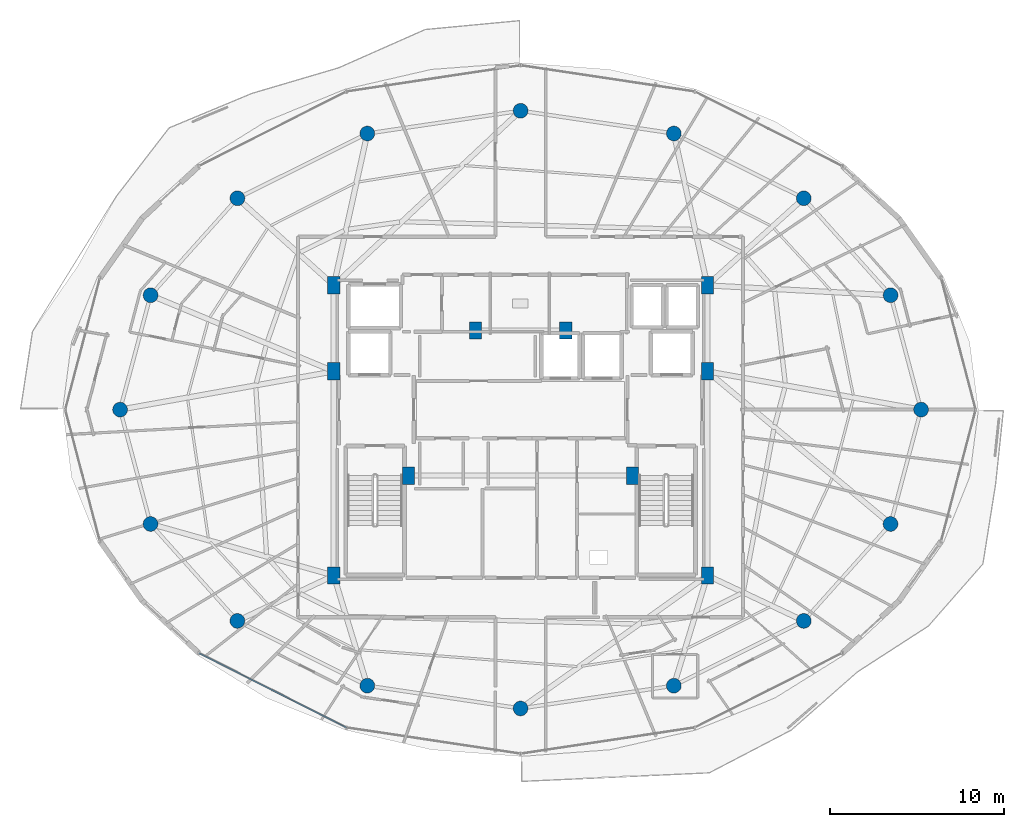
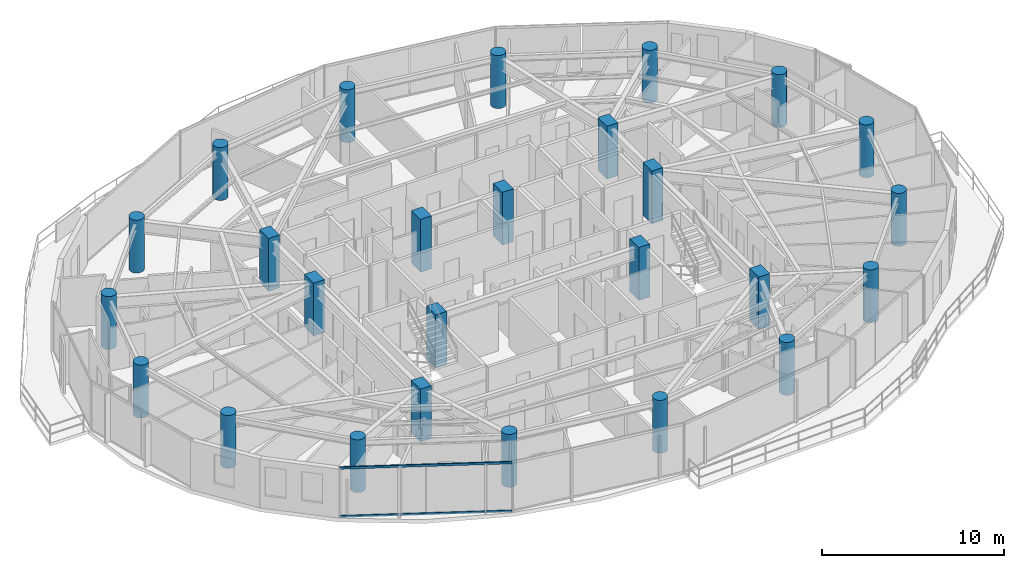
# One storey, part 1 of 29: 26 columns, 2 members, 1 element without a shape of its own.
"""IFC4 building model written with IfcOpenShell, lengths in metres."""

import ifcopenshell
import ifcopenshell.guid

model = None  # the IFC model being written
_history = None  # IfcOwnerHistory: only IFC2X3 demands one
_inside = {}  # id of a spatial element -> (the spatial element, [elements in it])
_under = {}  # id of a project, library or spatial element -> (it, [spatial elements below it])
_declared = {}  # id of a project -> (the project, [libraries it declares])
_typed = {}  # id of a type object -> (the type object, [elements of that type])
_made_of = {}  # id of a material, layer set ... -> (it, [elements and type objects made of it])


def new_model(schema):
    """Start an empty IFC model of exactly this schema.

    Asked for "IFC4X3", IfcOpenShell would pick the latest addendum, in which some entities
    have other attributes; the version numbers below select the first issue.
    IFC2X3 requires an IfcOwnerHistory on every rooted entity: one is made here for all.
    """
    global model, _history
    if schema == "IFC4X3":
        model = ifcopenshell.file(schema_version=(4, 3, 0, 0))
    else:
        model = ifcopenshell.file(schema=schema)
    _inside.clear()
    _under.clear()
    _declared.clear()
    _typed.clear()
    _made_of.clear()
    _history = None
    if model.schema == "IFC2X3":
        org = make("IfcOrganization", Name="unknown")
        user = make(
            "IfcPersonAndOrganization",
            ThePerson=make("IfcPerson", FamilyName="unknown"),
            TheOrganization=org,
        )
        app = make(
            "IfcApplication",
            ApplicationDeveloper=org,
            Version="unknown",
            ApplicationFullName="unknown",
            ApplicationIdentifier="unknown",
        )
        _history = make(
            "IfcOwnerHistory",
            OwningUser=user,
            OwningApplication=app,
            ChangeAction="ADDED",
            CreationDate=0,
        )
    return model


def make(cls, **values):
    """One entity of the class cls with the attributes given. An attribute that is None is left unset."""
    return model.create_entity(
        cls, **{name: value for name, value in values.items() if value is not None}
    )


def rooted(cls, **values):
    """An entity with a GlobalId (a new one), such as an element, a storey or a relation."""
    return make(cls, GlobalId=ifcopenshell.guid.new(), OwnerHistory=_history, **values)


def si_unit(unit_type, name, prefix=None):
    """IfcSIUnit, for example si_unit("LENGTHUNIT", "METRE", prefix="MILLI")."""
    return make("IfcSIUnit", UnitType=unit_type, Prefix=prefix, Name=name)


def assignment(units):
    """IfcUnitAssignment: the units of a project."""
    return None if units is None else make("IfcUnitAssignment", Units=units)


def point(xyz):
    """IfcCartesianPoint."""
    return None if xyz is None else make("IfcCartesianPoint", Coordinates=xyz)


def direction(xyz):
    """IfcDirection."""
    return None if xyz is None else make("IfcDirection", DirectionRatios=xyz)


def frame(location, z_axis=None, x_axis=None):
    """IfcAxis2Placement3D, a coordinate frame: its origin and axes. An axis left out is left unset."""
    return make(
        "IfcAxis2Placement3D",
        Location=point(location),
        Axis=direction(z_axis),
        RefDirection=direction(x_axis),
    )


def frame_2d(location, x_axis=None):
    """IfcAxis2Placement2D, a coordinate frame in the plane: its origin and x axis."""
    return make(
        "IfcAxis2Placement2D", Location=point(location), RefDirection=direction(x_axis)
    )


def origin():
    """The frame at (0, 0, 0) with its axes left unset."""
    return frame((0.0, 0.0, 0.0))


def origin_2d():
    """The frame at (0, 0) in the plane with its x axis left unset."""
    return frame_2d((0.0, 0.0))


def place(relative_to, where):
    """IfcLocalPlacement: puts the frame where relative to a parent placement (None: the world)."""
    return make(
        "IfcLocalPlacement", PlacementRelTo=relative_to, RelativePlacement=where
    )


def context(
    kind, dimensions, precision=None, world=None, true_north=None, identifier=None
):
    """IfcGeometricRepresentationContext, for example the 3D "Model" context."""
    return make(
        "IfcGeometricRepresentationContext",
        ContextIdentifier=identifier,
        ContextType=kind,
        CoordinateSpaceDimension=dimensions,
        Precision=precision,
        WorldCoordinateSystem=world,
        TrueNorth=true_north,
    )


def subcontext(parent, identifier, kind, view, scale=None):
    """IfcGeometricRepresentationSubContext, for example "Body" below "Model"."""
    return make(
        "IfcGeometricRepresentationSubContext",
        ContextIdentifier=identifier,
        ContextType=kind,
        ParentContext=parent,
        TargetScale=scale,
        TargetView=view,
    )


def project(units=None, contexts=None):
    """IfcProject with its units and contexts."""
    return rooted(
        "IfcProject",
        Name="project",
        RepresentationContexts=contexts,
        UnitsInContext=assignment(units),
    )


def spatial(cls, under=None, at=None, **own):
    """A site, building, storey or space (cls), placed at a placement, below another one or the project."""
    s = rooted(cls, ObjectPlacement=at, **own)
    if under is not None:
        _under.setdefault(under.id(), (under, []))[1].append(s)
    return s


def profile(cls, at=None, kind="AREA", **sizes):
    """A parametric profile (cls). Its sizes go by their IFC names, for example OverallWidth=200.0."""
    return make(cls, ProfileType=kind, Position=at, **sizes)


def rectangle(**sizes):
    """IfcRectangleProfileDef."""
    return profile("IfcRectangleProfileDef", **sizes)


def hollow_rectangle(**sizes):
    """IfcRectangleHollowProfileDef."""
    return profile("IfcRectangleHollowProfileDef", **sizes)


def circle(**sizes):
    """IfcCircleProfileDef."""
    return profile("IfcCircleProfileDef", **sizes)


def extrude(swept, where, along, depth):
    """IfcExtrudedAreaSolid: the profile swept, set in the frame where, extruded along a direction by depth."""
    return make(
        "IfcExtrudedAreaSolid",
        SweptArea=swept,
        Position=where,
        ExtrudedDirection=direction(along),
        Depth=depth,
    )


def shape(context_of_items, identifier, shape_type, items):
    """IfcShapeRepresentation: the items that make up one representation, for example the "Body"."""
    return make(
        "IfcShapeRepresentation",
        ContextOfItems=context_of_items,
        RepresentationIdentifier=identifier,
        RepresentationType=shape_type,
        Items=items,
    )


def material(Name=None, Category=None):
    """IfcMaterial."""
    return make("IfcMaterial", Name=Name, Category=Category)


def material_profile(
    of_material, cross_section, Name=None, Category=None, Priority=None
):
    """IfcMaterialProfile: a cross section and its material."""
    return make(
        "IfcMaterialProfile",
        Name=Name,
        Material=of_material,
        Profile=cross_section,
        Priority=Priority,
        Category=Category,
    )


def profile_set(profiles, Name=None, composite=None):
    """IfcMaterialProfileSet."""
    return make(
        "IfcMaterialProfileSet",
        Name=Name,
        MaterialProfiles=profiles,
        CompositeProfile=composite,
    )


def made_of(thing, what):
    """Note that an element or type object is made of a material, layer set ...; save() writes the relation."""
    if what is not None:
        _made_of.setdefault(what.id(), (what, []))[1].append(thing)
    return thing


def type_object(cls, material=None, **own):
    """A type object (cls), such as IfcWallType, which elements share."""
    return made_of(rooted(cls, **own), material)


def element(
    cls,
    number,
    at=None,
    inside=None,
    cuts=None,
    type_object=None,
    material=None,
    context=None,
    identifier="Body",
    shape_type=None,
    held_by="IfcProductDefinitionShape",
    body=None,
    shapes=None,
    **own,
):
    """One element of the class cls, such as IfcWall. Its Tag is "e" and its number.

    at: its placement. inside: the storey or other place that contains it. cuts: it is an
    opening in that element (IfcRelVoidsElement). A single representation is given by context,
    identifier, shape_type and body (its items); several are given by shapes. held_by: the class
    of the entity that holds the representations. save() writes the other relations.
    """
    e = rooted(cls, Tag="e%d" % number, ObjectPlacement=at, **own)
    if body is not None:
        shapes = [shape(context, identifier, shape_type, body)]
    if shapes is not None:
        e.Representation = make(held_by, Representations=shapes)
    if inside is not None:
        _inside.setdefault(inside.id(), (inside, []))[1].append(e)
    if cuts is not None:
        rooted(
            "IfcRelVoidsElement", RelatingBuildingElement=cuts, RelatedOpeningElement=e
        )
    if type_object is not None:
        _typed.setdefault(type_object.id(), (type_object, []))[1].append(e)
    return made_of(e, material)


def aggregate(whole, parts):
    """IfcRelAggregates: a whole, such as a stair, and the parts it consists of."""
    return rooted("IfcRelAggregates", RelatingObject=whole, RelatedObjects=parts)


def save(model, path):
    """Write the relations noted so far, then the file.

    IfcRelAggregates (storeys below a building ...), IfcRelContainedInSpatialStructure (elements
    in a storey), IfcRelDefinesByType, IfcRelAssociatesMaterial and IfcRelDeclares: one each for
    every whole, place, type object, material and project.
    """
    for whole, parts in _under.values():
        aggregate(whole, parts)
    for where, things in _inside.values():
        rooted(
            "IfcRelContainedInSpatialStructure",
            RelatedElements=things,
            RelatingStructure=where,
        )
    for kind, things in _typed.values():
        rooted("IfcRelDefinesByType", RelatedObjects=things, RelatingType=kind)
    for what, things in _made_of.values():
        rooted("IfcRelAssociatesMaterial", RelatedObjects=things, RelatingMaterial=what)
    for by, libraries in _declared.values():
        rooted("IfcRelDeclares", RelatingContext=by, RelatedDefinitions=libraries)
    model.write(path)


model = new_model("IFC4")

# Units and contexts
model_context = context("Model", 3, precision=1e-05, world=origin(), true_north=direction((0.0, 1.0)))
body_context = subcontext(model_context, "Body", "Model", "MODEL_VIEW")
ifc_project = project(units=[si_unit("LENGTHUNIT", "METRE"), si_unit("AREAUNIT", "SQUARE_METRE"), si_unit("VOLUMEUNIT", "CUBIC_METRE"), si_unit("PLANEANGLEUNIT", "RADIAN"), si_unit("MASSUNIT", "GRAM", prefix="KILO")], contexts=[model_context])

# Site, building, storey
site_placement = place(None, origin())
site = spatial("IfcSite", under=ifc_project, at=site_placement, CompositionType="ELEMENT")
building_placement = place(site_placement, origin())
building = spatial("IfcBuilding", under=site, at=building_placement, Name="Vorneva Point Tower", CompositionType="ELEMENT")
storey_placement = place(building_placement, frame((0.0, 0.0, 255.550048828125)))
storey = spatial("IfcBuildingStorey", under=building, at=storey_placement, Name="L69", CompositionType="ELEMENT", Elevation=255.550048828125)

# Columns
ifc_material_1 = material(Name="Concrete B50 (C40/50)", Category="concrete")
ifc_material_profile_1 = material_profile(ifc_material_1, circle(Radius=0.425048828125, at=origin_2d()), Name="RC-CIRC 850")
ifc_profile_set_1 = profile_set([ifc_material_profile_1], Name="Concrete B50 (C40/50)")
column_type_1 = type_object("IfcColumnType", Name="COL-RC850C", PredefinedType="COLUMN", material=ifc_profile_set_1)
for number, where, z_axis, x_axis, name in (
    (1, (61.050048828125, 26.0, 0.0), (0.0, 0.0, 1.0), (1.0, 0.0, 0.0), "L69 Perimeter Column P01"),
    (2, (59.29541015625, 32.582275390625, 0.0), (0.0, 0.0, 1.0), (0.923879532511, 0.382683432365, 0.0), "L69 Perimeter Column P02"),
    (3, (54.298828125, 38.162109375, 0.0), (0.0, 0.0, 1.0), (0.707106781187, 0.707106781187, 0.0), "L69 Perimeter Column P03"),
    (4, (46.82080078125, 41.890625, 0.0), (0.0, 0.0, 1.0), (0.382683432365, 0.923879532511, 0.0), "L69 Perimeter Column P04"),
    (5, (38.0, 43.199951171875, 0.0), (0.0, 0.0, 1.0), (0.0, 1.0, 0.0), "L69 Perimeter Column P05"),
    (6, (29.17919921875, 41.890625, 0.0), (0.0, 0.0, 1.0), (-0.382683432365, 0.923879532511, 0.0), "L69 Perimeter Column P06"),
    (7, (21.701171875, 38.162109375, 0.0), (0.0, 0.0, 1.0), (-0.707106781187, 0.707106781187, 0.0), "L69 Perimeter Column P07"),
    (8, (16.70458984375, 32.582275390625, 0.0), (0.0, 0.0, 1.0), (-0.923879532511, 0.382683432365, 0.0), "L69 Perimeter Column P08"),
    (9, (14.949951171875, 26.0, 0.0), (0.0, 0.0, 1.0), (-1.0, 0.0, 0.0), "L69 Perimeter Column P09"),
    (10, (16.70458984375, 19.417724609375, 0.0), (0.0, 0.0, 1.0), (-0.923879532511, -0.382683432365, 0.0), "L69 Perimeter Column P10"),
    (11, (21.701171875, 13.837890625, 0.0), (0.0, 0.0, 1.0), (-0.707106781187, -0.707106781187, 0.0), "L69 Perimeter Column P11"),
    (12, (29.17919921875, 10.109375, 0.0), (0.0, 0.0, 1.0), (-0.382683432365, -0.923879532511, 0.0), "L69 Perimeter Column P12"),
    (13, (38.0, 8.800048828125, 0.0), (0.0, 0.0, 1.0), (0.0, -1.0, 0.0), "L69 Perimeter Column P13"),
    (14, (46.82080078125, 10.109375, 0.0), (0.0, 0.0, 1.0), (0.382683432365, -0.923879532511, 0.0), "L69 Perimeter Column P14"),
    (15, (54.298828125, 13.837890625, 0.0), (0.0, 0.0, 1.0), (0.707106781187, -0.707106781187, 0.0), "L69 Perimeter Column P15"),
    (16, (59.29541015625, 19.417724609375, 0.0), (0.0, 0.0, 1.0), (0.923879532511, -0.382683432365, 0.0), "L69 Perimeter Column P16"),
):
    element("IfcColumn", number, at=place(storey_placement, frame(where, z_axis=z_axis, x_axis=x_axis)), inside=storey, type_object=column_type_1, Name=name, PredefinedType="COLUMN", context=body_context, shape_type="SweptSolid", body=[
        extrude(circle(Radius=0.425048828125, at=origin_2d()), origin(), (0.0, 0.0, 1.0), 3.550048828125),
    ])
ifc_material_profile_2 = material_profile(ifc_material_1, rectangle(XDim=0.699951171875, YDim=1.0, at=origin_2d()), Name="RC-PIL 1000x700")
ifc_profile_set_2 = profile_set([ifc_material_profile_2], Name="Concrete B50 (C40/50)")
column_type_2 = type_object("IfcColumnType", Name="PIL-RC1000x700", PredefinedType="PILASTER", material=ifc_profile_set_2)
for number, where, z_axis, x_axis, name in (
    (17, (27.25, 16.449951171875, 0.0), (0.0, 0.0, 1.0), (1.0, 0.0, 0.0), "L69 Core Pilaster CP1"),
    (18, (27.25, 28.199951171875, 0.0), (0.0, 0.0, 1.0), (1.0, 0.0, 0.0), "L69 Core Pilaster CP2"),
    (19, (27.25, 33.14990234375, 0.0), (0.0, 0.0, 1.0), (1.0, 0.0, 0.0), "L69 Core Pilaster CP3"),
    (20, (31.550048828125, 22.199951171875, 0.0), (0.0, 0.0, 1.0), (1.0, 0.0, 0.0), "L69 Core Pilaster CP4"),
    (21, (48.75, 33.14990234375, 0.0), (0.0, 0.0, 1.0), (1.0, 0.0, 0.0), "L69 Core Pilaster CP5"),
    (22, (48.75, 28.199951171875, 0.0), (0.0, 0.0, 1.0), (1.0, 0.0, 0.0), "L69 Core Pilaster CP6"),
    (23, (48.75, 16.449951171875, 0.0), (0.0, 0.0, 1.0), (1.0, 0.0, 0.0), "L69 Core Pilaster CP7"),
    (24, (44.449951171875, 22.199951171875, 0.0), (0.0, 0.0, 1.0), (1.0, 0.0, 0.0), "L69 Core Pilaster CP8"),
    (25, (35.39990234375, 30.550048828125, 0.0), (0.0, 0.0, 1.0), (1.0, 0.0, 0.0), "L69 Core Pilaster CP9"),
    (26, (40.60009765625, 30.550048828125, 0.0), (0.0, 0.0, 1.0), (1.0, 0.0, 0.0), "L69 Core Pilaster CP10"),
):
    element("IfcColumn", number, at=place(storey_placement, frame(where, z_axis=z_axis, x_axis=x_axis)), inside=storey, type_object=column_type_2, Name=name, PredefinedType="PILASTER", context=body_context, shape_type="SweptSolid", body=[
        extrude(rectangle(XDim=0.699951171875, YDim=1.0, at=origin_2d()), origin(), (0.0, 0.0, 1.0), 3.550048828125),
    ])

# Curtain wall, members
ifc_material_2 = material(Name="Pale anodised aluminium", Category="aluminium")
curtain_wall_type = type_object("IfcCurtainWallType", Name="CW-RES-SYS", PredefinedType="NOTDEFINED", material=ifc_material_2)
curtain_wall_placement = place(storey_placement, origin())
curtain_wall = element("IfcCurtainWall", 27, at=curtain_wall_placement, inside=storey, type_object=curtain_wall_type, Name="L69 Unitised Curtain Wall CW-L69-R04", PredefinedType="NOTDEFINED")
ifc_material_profile_3 = material_profile(ifc_material_2, hollow_rectangle(XDim=0.074951171875, YDim=0.14990234375, WallThickness=0.00390625, at=origin_2d()), Name="AL-TRN 150x75x4")
ifc_profile_set_3 = profile_set([ifc_material_profile_3], Name="Pale anodised aluminium")
member_type = type_object("IfcMemberType", Name="CW-TRN-150", PredefinedType="USERDEFINED", material=ifc_profile_set_3)
member_1_placement = place(storey_placement, frame((19.473876953125, 11.9921875, 0.02001953125), z_axis=(0.892558185815, -0.450932239848, 0.0), x_axis=(0.450932239848, 0.892558185815, 0.0)))
member_1 = element("IfcMember", 28, at=member_1_placement, type_object=member_type, Name="CW-L69-R04 Transom 01.1", ObjectType="TRANSOM", PredefinedType="USERDEFINED", context=body_context, shape_type="SweptSolid", body=[
    extrude(hollow_rectangle(XDim=0.074951171875, YDim=0.14990234375, WallThickness=0.00390625, at=origin_2d()), origin(), (0.0, 0.0, 1.0), 9.52294921875),
])
member_2_placement = place(storey_placement, frame((19.473876953125, 11.9921875, 3.27001953125), z_axis=(0.892558185815, -0.450932239848, 0.0), x_axis=(0.450932239848, 0.892558185815, 0.0)))
member_2 = element("IfcMember", 29, at=member_2_placement, type_object=member_type, Name="CW-L69-R04 Transom 01.2", ObjectType="TRANSOM", PredefinedType="USERDEFINED", context=body_context, shape_type="SweptSolid", body=[
    extrude(hollow_rectangle(XDim=0.074951171875, YDim=0.14990234375, WallThickness=0.00390625, at=origin_2d()), origin(), (0.0, 0.0, 1.0), 9.52294921875),
])
aggregate(curtain_wall, [member_1, member_2])

save(model, "model.ifc")
